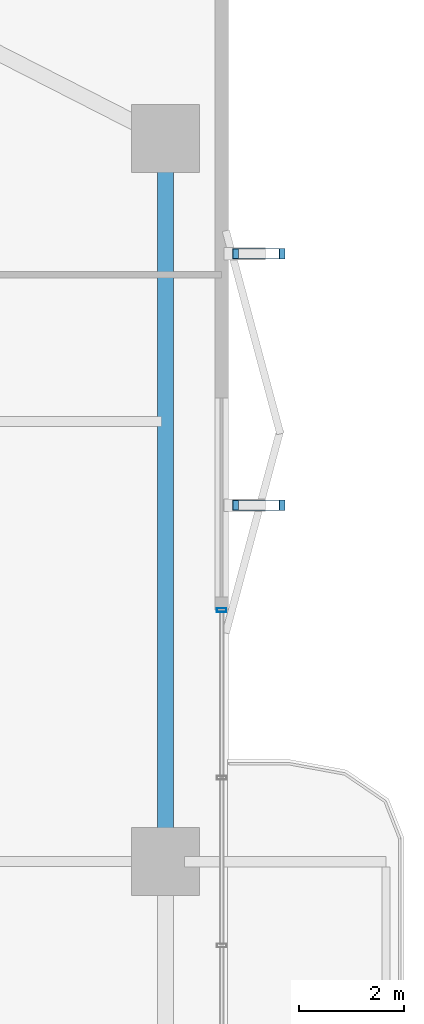
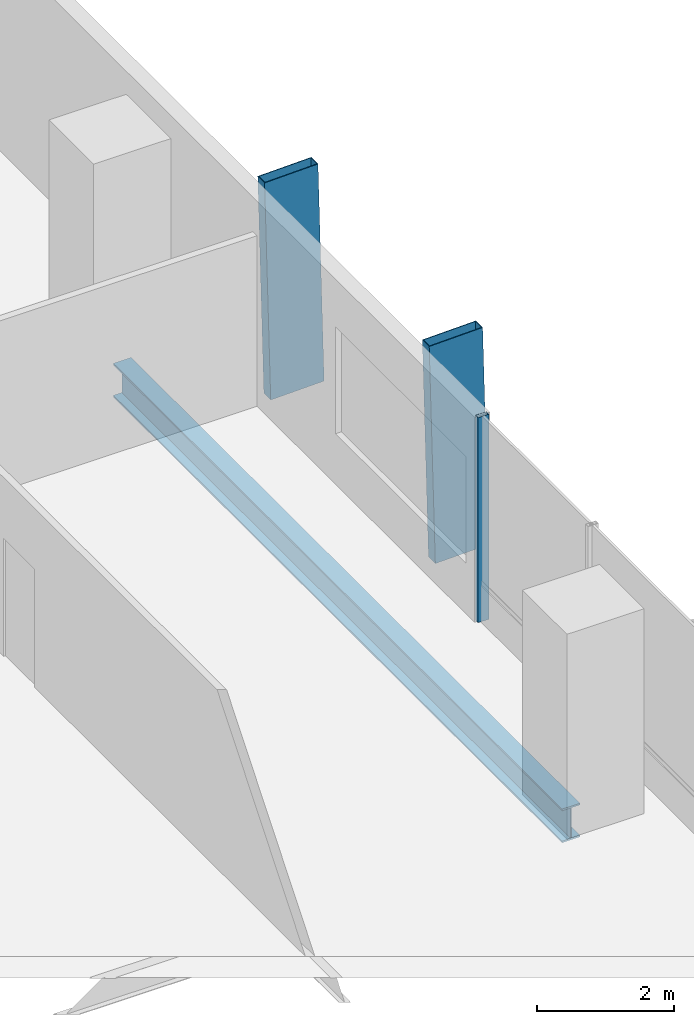
# One storey, part 13 of 23: 3 members, 1 beam, 1 element without a shape of its own.
"""IFC4 building model written with IfcOpenShell, lengths in metres."""

from ifc_helpers import new_model, si_unit, direction, frame, origin, origin_2d, place, context, subcontext, project, spatial, hollow_rectangle, i_section, extrude, material, layer, layer_set, material_profile, profile_set, type_object, element, aggregate, save


model = new_model("IFC4")

# Units and contexts
model_context = context("Model", 3, precision=1e-05, world=origin(), true_north=direction((0.0, 1.0)))
body_context = subcontext(model_context, "Body", "Model", "MODEL_VIEW")
ifc_project = project(units=[si_unit("LENGTHUNIT", "METRE"), si_unit("AREAUNIT", "SQUARE_METRE"), si_unit("VOLUMEUNIT", "CUBIC_METRE"), si_unit("PLANEANGLEUNIT", "RADIAN"), si_unit("MASSUNIT", "GRAM", prefix="KILO")], contexts=[model_context])

# Site, building, storey
site_placement = place(None, origin())
site = spatial("IfcSite", under=ifc_project, at=site_placement, CompositionType="ELEMENT")
building_placement = place(site_placement, origin())
building = spatial("IfcBuilding", under=site, at=building_placement, Name="Belovzor Exchange Tower", CompositionType="ELEMENT")
storey_placement = place(building_placement, frame((0.0, 0.0, 125.10009765625)))
storey = spatial("IfcBuildingStorey", under=building, at=storey_placement, Name="L30", CompositionType="ELEMENT", Elevation=125.10009765625)

# Members
ifc_material_1 = material(Name="Extruded Architectural Terracotta on Steel S355 Carrier", Category="masonry")
ifc_material_profile_1 = material_profile(ifc_material_1, hollow_rectangle(XDim=0.199951171875, YDim=0.89990234375, WallThickness=0.011962890625, at=origin_2d()))
ifc_profile_set_1 = profile_set([ifc_material_profile_1], Name="Extruded Architectural Terracotta on Steel S355 Carrier")
member_type_1 = type_object("IfcMemberType", Name="Sweeping Terracotta Baguette Fin Assembly 1250", PredefinedType="USERDEFINED", material=ifc_profile_set_1)
for number, where, z_axis, x_axis, name in (
    (1, (55.528076171875, 35.60009765625, -0.25), (-0.026408715329, 0.0, 0.999651229057), (0.0, -1.0, 0.0), "FIN-TC125 Terracotta Facade Fin L30 E3"),
    (2, (55.528076171875, 40.39990234375, -0.25), (-0.026408715329, 0.0, 0.999651229057), (0.0, -1.0, 0.0), "FIN-TC125 Terracotta Facade Fin L30 E4"),
):
    element("IfcMember", number, at=place(storey_placement, frame(where, z_axis=z_axis, x_axis=x_axis)), inside=storey, type_object=member_type_1, Name=name, ObjectType="FIN", PredefinedType="USERDEFINED", context=body_context, shape_type="SweptSolid", body=[
        extrude(hollow_rectangle(XDim=0.199951171875, YDim=0.89990234375, WallThickness=0.011962890625, at=origin_2d()), origin(), (0.0, 0.0, 1.0), 3.9013671875),
    ])

# Curtain wall, member
ifc_material_2 = material(Name="Anodised Aluminium Framing", Category="aluminium")
ifc_layer = layer(ifc_material_2, 0.179931640625)
ifc_layer_set = layer_set([ifc_layer], Name="Anodised Aluminium Framing")
curtain_wall_type = type_object("IfcCurtainWallType", Name="Recessed Loggia Low-Iron Triple-Glazed Curtain Wall", PredefinedType="NOTDEFINED", material=ifc_layer_set)
curtain_wall_placement = place(storey_placement, origin())
curtain_wall = element("IfcCurtainWall", 3, at=curtain_wall_placement, inside=storey, type_object=curtain_wall_type, Name="CW3 Recessed Loggia Low-Iron Triple-Glazed Curtain Wall L30", PredefinedType="NOTDEFINED")
ifc_material_3 = material(Name="Steel S355", Category="steel")
ifc_material_profile_2 = material_profile(ifc_material_3, hollow_rectangle(XDim=0.074951171875, YDim=0.179931640625, WallThickness=0.0048828125, at=origin_2d()))
ifc_profile_set_2 = profile_set([ifc_material_profile_2], Name="Steel S355")
member_type_2 = type_object("IfcMemberType", Name="Thermally Broken Curtain Wall Mullion 180x75", PredefinedType="MULLION", material=ifc_profile_set_2)
member_placement = place(storey_placement, frame((54.77001953125, 33.60009765625, 0.0), z_axis=(0.0, 0.0, 1.0), x_axis=(0.0, -1.0, 0.0)))
member = element("IfcMember", 4, at=member_placement, type_object=member_type_2, Name="CW-M180 Curtain Wall Mullion 1", PredefinedType="MULLION", context=body_context, shape_type="SweptSolid", body=[
    extrude(hollow_rectangle(XDim=0.074951171875, YDim=0.179931640625, WallThickness=0.0048828125, at=origin_2d()), origin(), (0.0, 0.0, 1.0), 3.64990234375),
])
aggregate(curtain_wall, [member])

# Beam
ifc_material_4 = material(Name="Steel S355", Category="steel")
ifc_material_profile_3 = material_profile(ifc_material_4, i_section(OverallWidth=0.300048828125, OverallDepth=0.60009765625, WebThickness=0.015380859375, FlangeThickness=0.030029296875, at=origin_2d()))
ifc_profile_set_3 = profile_set([ifc_material_profile_3], Name="Steel S355")
beam_type = type_object("IfcBeamType", Name="Zone 2 Primary Perimeter Girder HEB 600", PredefinedType="BEAM", material=ifc_profile_set_3)
beam_placement = place(storey_placement, frame((53.699951171875, 29.157958984375, -0.550048828125), z_axis=(0.0, 1.0, 0.0), x_axis=(-1.0, 0.0, 0.0)))
element("IfcBeam", 5, at=beam_placement, inside=storey, type_object=beam_type, Name="FG-Z2 Zone 2 Primary Perimeter Girder HEB 600", PredefinedType="BEAM", context=body_context, shape_type="SweptSolid", body=[
    extrude(i_section(OverallWidth=0.300048828125, OverallDepth=0.60009765625, WebThickness=0.015380859375, FlangeThickness=0.030029296875, at=origin_2d()), origin(), (0.0, 0.0, 1.0), 13.083984375),
])

save(model, "model.ifc")
